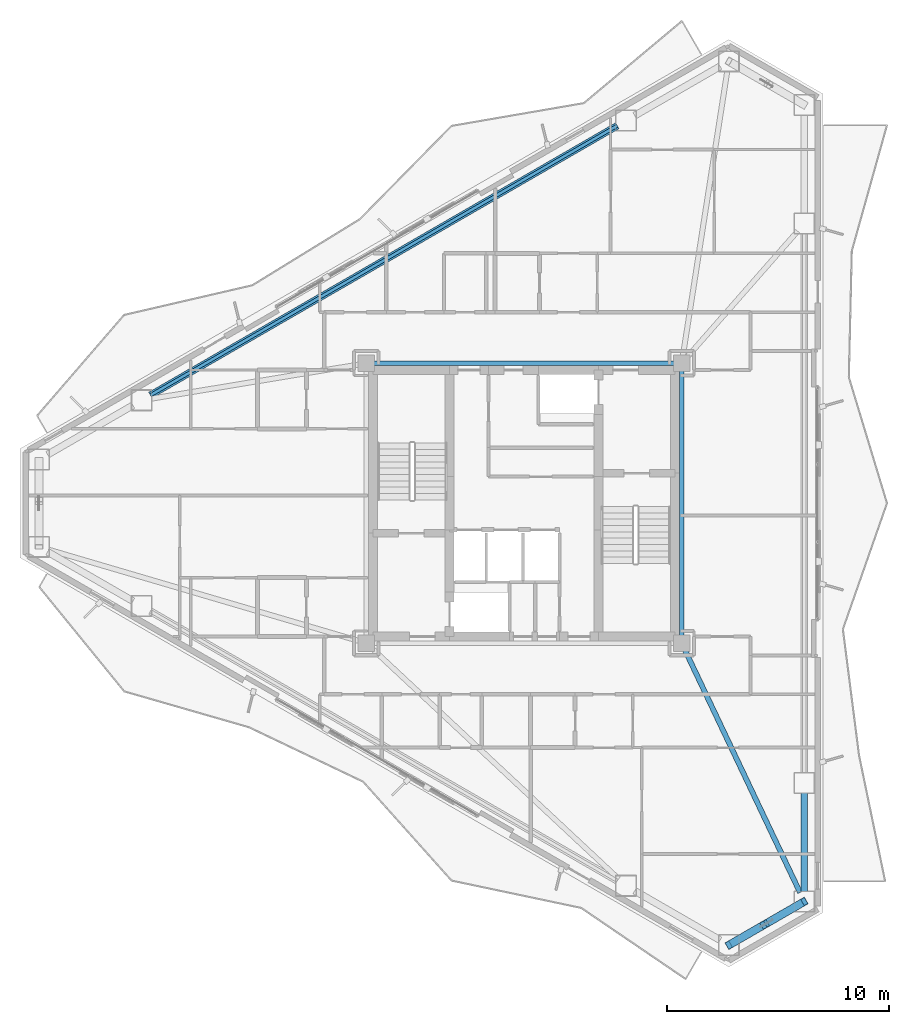
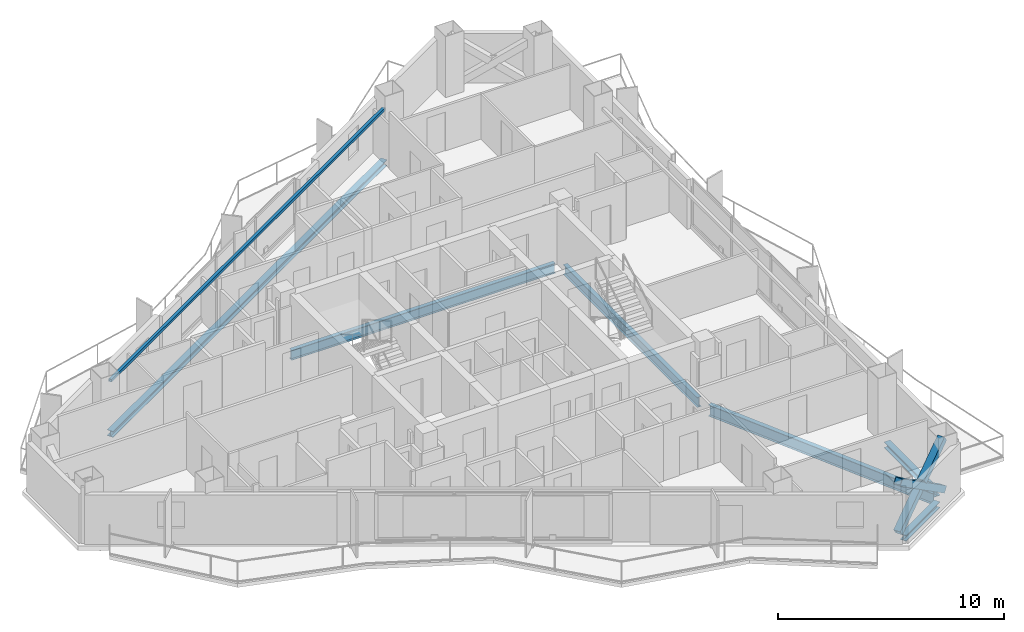
# One storey, part 6 of 19: 7 beams, 3 members.
"""IFC4 building model written with IfcOpenShell, lengths in metres."""

from ifc_helpers import new_model, si_unit, direction, frame, origin, origin_2d, place, context, subcontext, project, spatial, hollow_rectangle, i_section, extrude, material, material_profile, profile_set, type_object, element, save


model = new_model("IFC4")

# Units and contexts
model_context = context("Model", 3, precision=1e-05, world=origin(), true_north=direction((0.0, 1.0)))
body_context = subcontext(model_context, "Body", "Model", "MODEL_VIEW")
ifc_project = project(units=[si_unit("LENGTHUNIT", "METRE"), si_unit("AREAUNIT", "SQUARE_METRE"), si_unit("VOLUMEUNIT", "CUBIC_METRE"), si_unit("PLANEANGLEUNIT", "RADIAN"), si_unit("MASSUNIT", "GRAM", prefix="KILO")], contexts=[model_context])

# Site, building, storey
site_placement = place(None, origin())
site = spatial("IfcSite", under=ifc_project, at=site_placement, CompositionType="ELEMENT")
building_placement = place(site_placement, origin())
building = spatial("IfcBuilding", under=site, at=building_placement, Name="Mersakhor Tower and Convention Hall", CompositionType="ELEMENT")
storey_placement = place(building_placement, frame((0.0, 0.0, 141.0)))
storey = spatial("IfcBuildingStorey", under=building, at=storey_placement, Name="L39", CompositionType="ELEMENT", Elevation=141.0)

# Beams
ifc_material_1 = material(Name="Steel S355", Category="steel")
ifc_material_profile_1 = material_profile(ifc_material_1, i_section(OverallWidth=0.2099609375, OverallDepth=0.53662109375, WebThickness=0.0107421875, FlangeThickness=0.017333984375, at=origin_2d()), Name="UB 533x210x101")
ifc_profile_set_1 = profile_set([ifc_material_profile_1], Name="Steel S355")
beam_type_1 = type_object("IfcBeamType", Name="BM-FB-533", PredefinedType="BEAM", material=ifc_profile_set_1)
beam_1_placement = place(storey_placement, frame((22.2548828125, 33.050048828125, -0.50830078125), z_axis=(1.0, 0.0, 0.0), x_axis=(0.0, 1.0, 0.0)))
element("IfcBeam", 1, at=beam_1_placement, inside=storey, type_object=beam_type_1, Name="L39 Core Ring Tie Beam CRB-2", PredefinedType="BEAM", context=body_context, shape_type="SweptSolid", body=[
    extrude(i_section(OverallWidth=0.2099609375, OverallDepth=0.53662109375, WebThickness=0.0107421875, FlangeThickness=0.017333984375, at=origin_2d()), origin(), (0.0, 0.0, 1.0), 13.490234375),
])
beam_2_placement = place(storey_placement, frame((36.10009765625, 32.695068359375, -0.50830078125), z_axis=(0.0, -1.0, 0.0), x_axis=(1.0, 0.0, 0.0)))
element("IfcBeam", 2, at=beam_2_placement, inside=storey, type_object=beam_type_1, Name="L39 Core Ring Tie Beam CRB-3", PredefinedType="BEAM", context=body_context, shape_type="SweptSolid", body=[
    extrude(i_section(OverallWidth=0.2099609375, OverallDepth=0.53662109375, WebThickness=0.0107421875, FlangeThickness=0.017333984375, at=origin_2d()), origin(), (0.0, 0.0, 1.0), 11.89013671875),
])
ifc_material_2 = material(Name="Steel S355", Category="steel")
ifc_material_profile_2 = material_profile(ifc_material_2, hollow_rectangle(XDim=0.14990234375, YDim=0.14990234375, WallThickness=0.010009765625, at=origin_2d()), Name="SHS 150x150x10")
ifc_profile_set_2 = profile_set([ifc_material_profile_2], Name="Steel S355")
beam_type_2 = type_object("IfcBeamType", Name="BM-GRT-SHS150", PredefinedType="USERDEFINED", material=ifc_profile_set_2)
beam_3_placement = place(storey_placement, frame((12.182373046875, 31.61181640625, 2.47998046875), z_axis=(0.866027433267, 0.499996484816, 0.0), x_axis=(-0.499996484816, 0.866027433267, 0.0)))
element("IfcBeam", 3, at=beam_3_placement, inside=storey, type_object=beam_type_2, Name="L39 Facade Support Girt GRT-F1", ObjectType="GIRT", PredefinedType="USERDEFINED", context=body_context, shape_type="SweptSolid", body=[
    extrude(hollow_rectangle(XDim=0.14990234375, YDim=0.14990234375, WallThickness=0.010009765625, at=origin_2d()), origin(), (0.0, 0.0, 1.0), 24.267333984375),
])
ifc_material_3 = material(Name="Steel S355", Category="steel")
ifc_material_profile_3 = material_profile(ifc_material_3, i_section(OverallWidth=0.22900390625, OverallDepth=0.6123046875, WebThickness=0.011962890625, FlangeThickness=0.01953125, at=origin_2d()), Name="UB 610x229x125")
ifc_profile_set_3 = profile_set([ifc_material_profile_3], Name="Steel S355")
beam_type_3 = type_object("IfcBeamType", Name="BM-PR-610", PredefinedType="BEAM", material=ifc_profile_set_3)
beam_4_placement = place(storey_placement, frame((36.252197265625, 20.12939453125, -0.546142578125), z_axis=(0.428664675599, -0.903463666061, 0.0), x_axis=(0.903463666061, 0.428664675599, 0.0)))
element("IfcBeam", 4, at=beam_4_placement, inside=storey, type_object=beam_type_3, Name="L39 Primary Floor Girder FG-4", PredefinedType="BEAM", context=body_context, shape_type="SweptSolid", body=[
    extrude(i_section(OverallWidth=0.22900390625, OverallDepth=0.6123046875, WebThickness=0.011962890625, FlangeThickness=0.01953125, at=origin_2d()), origin(), (0.0, 0.0, 1.0), 12.065673828125),
])
ifc_material_4 = material(Name="Steel S355", Category="steel")
ifc_material_profile_4 = material_profile(ifc_material_4, i_section(OverallWidth=0.30908203125, OverallDepth=0.320556640625, WebThickness=0.013916015625, FlangeThickness=0.021728515625, at=origin_2d()), Name="UC 305x305x137")
ifc_profile_set_4 = profile_set([ifc_material_profile_4], Name="Steel S355")
beam_type_4 = type_object("IfcBeamType", Name="BM-SPD-UC305", PredefinedType="SPANDREL", material=ifc_profile_set_4)
beam_5_placement = place(storey_placement, frame((12.182373046875, 31.61181640625, -0.400146484375), z_axis=(0.866027433267, 0.499996484816, 0.0), x_axis=(-0.499996484816, 0.866027433267, 0.0)))
element("IfcBeam", 5, at=beam_5_placement, inside=storey, type_object=beam_type_4, Name="L39 Perimeter Spandrel Beam SPB-02", PredefinedType="SPANDREL", context=body_context, shape_type="SweptSolid", body=[
    extrude(i_section(OverallWidth=0.30908203125, OverallDepth=0.320556640625, WebThickness=0.013916015625, FlangeThickness=0.021728515625, at=origin_2d()), origin(), (0.0, 0.0, 1.0), 24.267333984375),
])
beam_6_placement = place(storey_placement, frame((41.619140625, 13.706298828125, -0.400146484375), z_axis=(0.0, -1.0, 0.0), x_axis=(1.0, 0.0, 0.0)))
element("IfcBeam", 6, at=beam_6_placement, inside=storey, type_object=beam_type_4, Name="L39 Perimeter Spandrel Beam SPB-07", PredefinedType="SPANDREL", context=body_context, shape_type="SweptSolid", body=[
    extrude(i_section(OverallWidth=0.30908203125, OverallDepth=0.320556640625, WebThickness=0.013916015625, FlangeThickness=0.021728515625, at=origin_2d()), origin(), (0.0, 0.0, 1.0), 4.433837890625),
])
beam_7_placement = place(storey_placement, frame((41.22509765625, 8.58984375, -0.400146484375), z_axis=(-0.86604667077, -0.499963162692, 0.0), x_axis=(0.499963162692, -0.86604667077, 0.0)))
element("IfcBeam", 7, at=beam_7_placement, inside=storey, type_object=beam_type_4, Name="L39 Perimeter Spandrel Beam SPB-08", PredefinedType="SPANDREL", context=body_context, shape_type="SweptSolid", body=[
    extrude(i_section(OverallWidth=0.30908203125, OverallDepth=0.320556640625, WebThickness=0.013916015625, FlangeThickness=0.021728515625, at=origin_2d()), origin(), (0.0, 0.0, 1.0), 3.014404296875),
])

# Members
ifc_material_5 = material(Name="Steel S460", Category="steel")
ifc_material_profile_5 = material_profile(ifc_material_5, hollow_rectangle(XDim=0.35009765625, YDim=0.35009765625, WallThickness=0.02001953125, at=origin_2d()), Name="SHS 350x350x20")
ifc_profile_set_5 = profile_set([ifc_material_profile_5], Name="Steel S460")
member_type = type_object("IfcMemberType", Name="MB-BRC-SHS350", PredefinedType="BRACE", material=ifc_profile_set_5)
member_placement = place(storey_placement, frame((41.619140625, 8.8173828125, 0.14990234375), z_axis=(-0.70838533923, -0.408971551713, 0.575267312693), x_axis=(0.499986324622, -0.866033299124, 0.0)))
element("IfcMember", 8, at=member_placement, inside=storey, type_object=member_type, Name="L39 Chamfer Braced Frame Diagonal CB-2A", PredefinedType="BRACE", context=body_context, shape_type="SweptSolid", body=[
    extrude(hollow_rectangle(XDim=0.35009765625, YDim=0.35009765625, WallThickness=0.02001953125, at=origin_2d()), origin(), (0.0, 0.0, 1.0), 4.7978515625),
])
for number, where, z_axis, x_axis, name in (
    (9, (38.220458984375, 6.855224609375, 0.14990234375), (0.708364021879, 0.408986667212, 0.575282816143), (-0.500011469263, 0.866018781901, 0.0), "L39 Chamfer Braced Frame Diagonal CB-2B Lower Half"),
    (10, (40.05712890625, 7.91552734375, 1.6416015625), (0.708409139881, 0.409012716899, 0.575208734242), (-0.500011469263, 0.866018781901, 0.0), "L39 Chamfer Braced Frame Diagonal CB-2B Upper Half"),
):
    element("IfcMember", number, at=place(storey_placement, frame(where, z_axis=z_axis, x_axis=x_axis)), inside=storey, type_object=member_type, Name=name, PredefinedType="BRACE", context=body_context, shape_type="SweptSolid", body=[
        extrude(hollow_rectangle(XDim=0.35009765625, YDim=0.35009765625, WallThickness=0.02001953125, at=origin_2d()), origin(), (0.0, 0.0, 1.0), 2.205078125),
    ])

save(model, "model.ifc")
